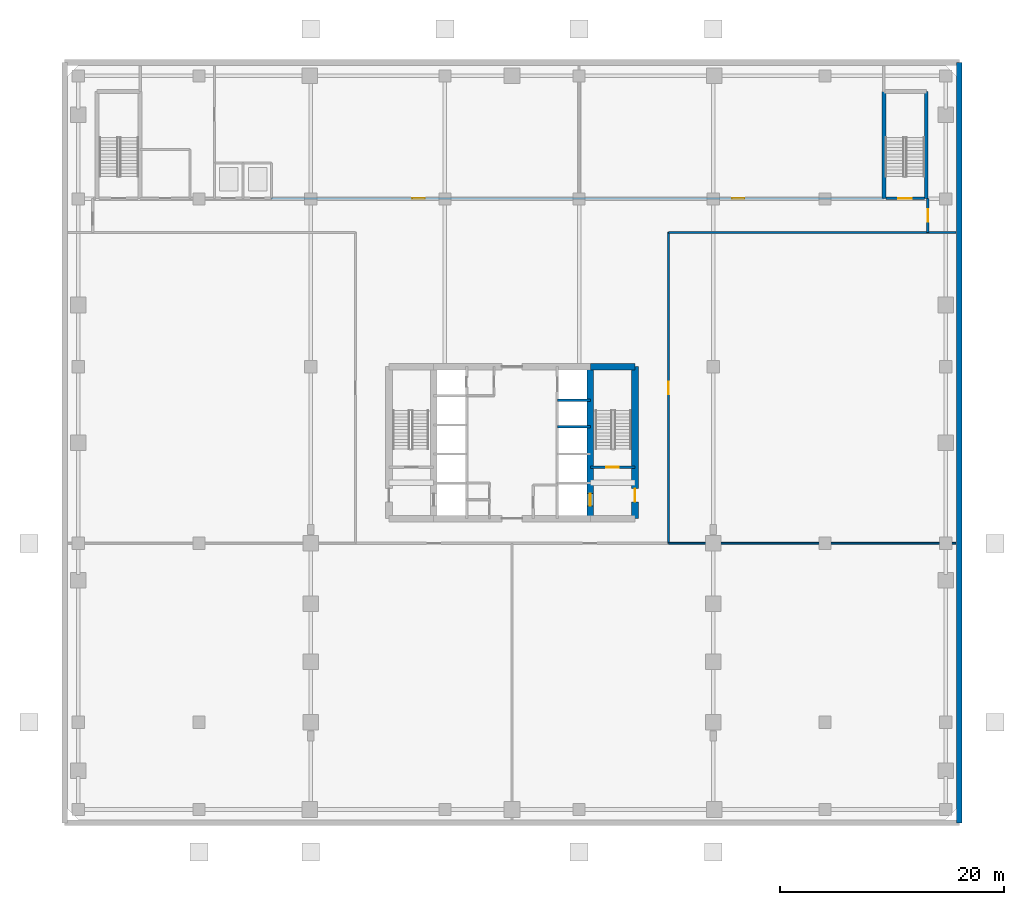
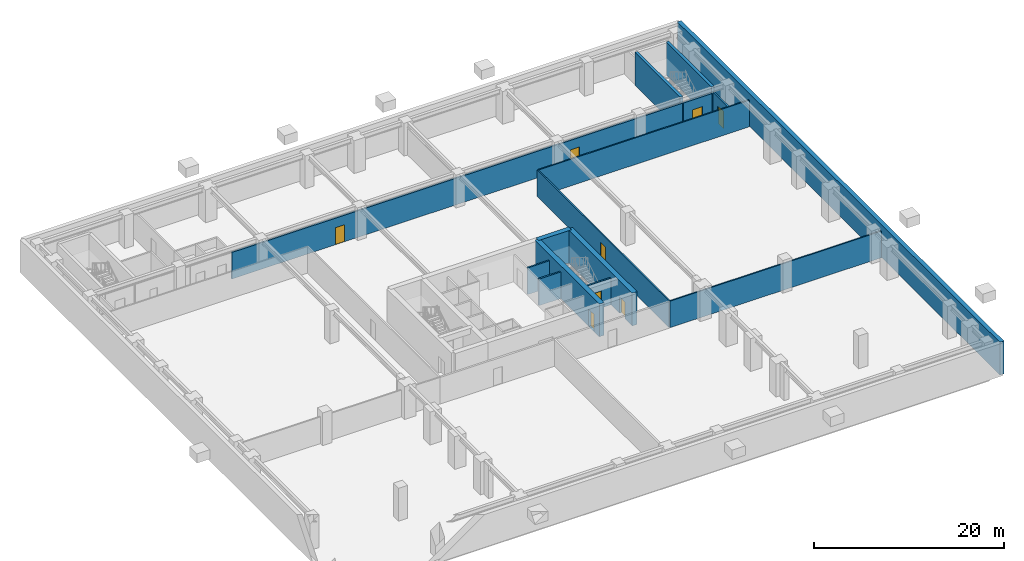
# One storey, part 6 of 11: 15 walls, 8 doors, 8 openings.
"""IFC4 building model written with IfcOpenShell, lengths in metres."""

from ifc_helpers import new_model, si_unit, direction, frame, frame_2d, origin, place, context, subcontext, project, spatial, rectangle, extrude, material, layer, layer_set, type_object, element, fill, save


model = new_model("IFC4")

# Units and contexts
model_context = context("Model", 3, precision=1e-05, world=origin(), true_north=direction((0.0, 1.0)))
body_context = subcontext(model_context, "Body", "Model", "MODEL_VIEW")
ifc_project = project(units=[si_unit("LENGTHUNIT", "METRE"), si_unit("AREAUNIT", "SQUARE_METRE"), si_unit("VOLUMEUNIT", "CUBIC_METRE"), si_unit("PLANEANGLEUNIT", "RADIAN"), si_unit("MASSUNIT", "GRAM", prefix="KILO")], contexts=[model_context])

# Site, building, storey
site_placement = place(None, origin())
site = spatial("IfcSite", under=ifc_project, at=site_placement, CompositionType="ELEMENT")
building_placement = place(site_placement, origin())
building = spatial("IfcBuilding", under=site, at=building_placement, Name="Sarneth Arch Tower", CompositionType="ELEMENT")
storey_placement = place(building_placement, frame((0.0, 0.0, -4.5)))
storey = spatial("IfcBuildingStorey", under=building, at=storey_placement, Name="B01", CompositionType="ELEMENT", Elevation=-4.5)

# Walls
ifc_material_1 = material(Name="Concrete C50/60", Category="concrete")
ifc_layer_1 = layer(ifc_material_1, 0.35009765625)
ifc_layer_set_1 = layer_set([ifc_layer_1], Name="Concrete C50/60")
wall_type_1 = type_object("IfcWallType", Name="WALL-CORE-350", PredefinedType="SHEAR", material=ifc_layer_set_1)
for number, where, z_axis, x_axis, name in (
    (1, (81.25, 63.85009765625, 0.0), (0.0, 0.0, 1.0), (0.0, 1.0, 0.0), "B01 Podium stair core wall STP2-W"),
    (2, (85.050048828125, 63.85009765625, 0.0), (0.0, 0.0, 1.0), (0.0, 1.0, 0.0), "B01 Podium stair core wall STP2-E"),
):
    element("IfcWall", number, at=place(storey_placement, frame(where, z_axis=z_axis, x_axis=x_axis)), inside=storey, type_object=wall_type_1, Name=name, PredefinedType="SHEAR", context=body_context, shape_type="SweptSolid", body=[
        extrude(rectangle(XDim=9.5498046875, YDim=0.35009765625, at=frame_2d((4.77490234375, 0.0))), origin(), (0.0, 0.0, 1.0), 4.219970703125),
    ])
ifc_material_2 = material(Name="Concrete C60/75", Category="concrete")
ifc_layer_2 = layer(ifc_material_2, 0.60009765625)
ifc_layer_set_2 = layer_set([ifc_layer_2], Name="Concrete C60/75")
wall_type_2 = type_object("IfcWallType", Name="WALL-CORE-600", PredefinedType="SHEAR", material=ifc_layer_set_2)
wall_1_placement = place(storey_placement, frame((55.0, 48.800048828125, 0.0), z_axis=(0.0, 0.0, 1.0), x_axis=(1.0, 0.0, 0.0)))
element("IfcWall", 3, at=wall_1_placement, inside=storey, type_object=wall_type_2, Name="B01 Core shear wall N-E", PredefinedType="SHEAR", context=body_context, shape_type="SweptSolid", body=[
    extrude(rectangle(XDim=4.0, YDim=0.60009765625, at=frame_2d((2.0, 0.0))), origin(), (0.0, 0.0, 1.0), 4.219970703125),
])

# Wall, opening, door
wall_2_placement = place(storey_placement, frame((59.0, 35.199951171875, 0.0), z_axis=(0.0, 0.0, 1.0), x_axis=(0.0, 1.0, 0.0)))
wall_2 = element("IfcWall", 4, at=wall_2_placement, inside=storey, type_object=wall_type_2, Name="B01 Core shear wall E", PredefinedType="SHEAR", context=body_context, shape_type="SweptSolid", body=[
    extrude(rectangle(XDim=13.60009765625, YDim=0.60009765625, at=frame_2d((6.800048828125, 0.0))), origin(), (0.0, 0.0, 1.0), 4.219970703125),
])
opening_1_placement = place(wall_2_placement, frame((1.5, 0.0, 0.0)))
opening_1 = element("IfcOpeningElement", 5, at=opening_1_placement, cuts=wall_2, Name="Opening FD-02", PredefinedType="OPENING", context=body_context, shape_type="SweptSolid", body=[
    extrude(rectangle(XDim=1.199951171875, YDim=2.14990234375, at=frame_2d((0.60009765625, 1.074951171875))), frame((0.0, 0.31005859375, 0.0), z_axis=(0.0, -1.0, 0.0), x_axis=(1.0, 0.0, 0.0)), (0.0, 0.0, 1.0), 0.6201171875),
])
ifc_material_3 = material(Name="Galvanised Steel S275 fire door set", Category="steel")
door_type_1 = type_object("IfcDoorType", Name="DR-FD90-1200", OperationType="SINGLE_SWING_LEFT", PredefinedType="DOOR", material=ifc_material_3)
door_1_placement = place(opening_1_placement, origin())
door_1 = element("IfcDoor", 6, at=door_1_placement, inside=storey, type_object=door_type_1, Name="B01 Firefighting lobby 2 exit door", OperationType="SINGLE_SWING_RIGHT", OverallHeight=2.14990234375, OverallWidth=1.199951171875, PredefinedType="DOOR", context=body_context, shape_type="SweptSolid", body=[
    extrude(rectangle(XDim=1.199951171875, YDim=2.14990234375, at=frame_2d((0.60009765625, 1.074951171875))), frame((0.0, 0.02490234375, 0.0), z_axis=(0.0, -1.0, 0.0), x_axis=(1.0, 0.0, 0.0)), (0.0, 0.0, 1.0), 0.050048828125),
])
fill(opening_1, door_1)

wall_3_placement = place(storey_placement, frame((55.0, 35.199951171875, 0.0), z_axis=(0.0, 0.0, 1.0), x_axis=(0.0, 1.0, 0.0)))
wall_3 = element("IfcWall", 7, at=wall_3_placement, inside=storey, type_object=wall_type_2, Name="B01 Core shear wall WEB-E", PredefinedType="SHEAR", context=body_context, shape_type="SweptSolid", body=[
    extrude(rectangle(XDim=13.60009765625, YDim=0.60009765625, at=frame_2d((6.800048828125, 0.0))), origin(), (0.0, 0.0, 1.0), 4.219970703125),
])
opening_2_placement = place(wall_3_placement, frame((1.14990234375, 0.0, 0.0)))
opening_2 = element("IfcOpeningElement", 8, at=opening_2_placement, cuts=wall_3, Name="Opening LD-1", PredefinedType="OPENING", context=body_context, shape_type="SweptSolid", body=[
    extrude(rectangle(XDim=1.10009765625, YDim=2.199951171875, at=frame_2d((0.550048828125, 1.10009765625))), frame((0.0, 0.31005859375, 0.0), z_axis=(0.0, -1.0, 0.0), x_axis=(1.0, 0.0, 0.0)), (0.0, 0.0, 1.0), 0.6201171875),
])
ifc_material_4 = material(Name="Brushed Stainless Steel 304 lift landing door", Category="steel")
door_type_2 = type_object("IfcDoorType", Name="DR-LIFT-SLIDE-1100", OperationType="SLIDING_TO_LEFT", PredefinedType="DOOR", material=ifc_material_4)
door_2_placement = place(opening_2_placement, origin())
door_2 = element("IfcDoor", 9, at=door_2_placement, inside=storey, type_object=door_type_2, Name="B01 Firefighting lift landing door FL-2", OperationType="SLIDING_TO_RIGHT", OverallHeight=2.199951171875, OverallWidth=1.10009765625, PredefinedType="DOOR", context=body_context, shape_type="SweptSolid", body=[
    extrude(rectangle(XDim=1.10009765625, YDim=2.199951171875, at=frame_2d((0.550048828125, 1.10009765625))), frame((0.0, 0.02490234375, 0.0), z_axis=(0.0, -1.0, 0.0), x_axis=(1.0, 0.0, 0.0)), (0.0, 0.0, 1.0), 0.050048828125),
])
fill(opening_2, door_2)

# Wall, openings, doors
ifc_material_5 = material(Name="Double steel-stud corridor fire wall", Category="steel")
ifc_layer_3 = layer(ifc_material_5, 0.18994140625)
ifc_layer_set_3 = layer_set([ifc_layer_3], Name="Double steel-stud corridor fire wall")
wall_type_3 = type_object("IfcWallType", Name="WALL-CORR-190", PredefinedType="PARTITIONING", material=ifc_layer_set_3)
wall_4_placement = place(storey_placement, frame((26.468017578125, 63.85009765625, 0.0), z_axis=(0.0, 0.0, 1.0), x_axis=(1.0, 0.0, 0.0)))
wall_4 = element("IfcWall", 10, at=wall_4_placement, inside=storey, type_object=wall_type_3, Name="B01 Interior partition W-B01-TP-009", PredefinedType="PARTITIONING", context=body_context, shape_type="SweptSolid", body=[
    extrude(rectangle(XDim=54.81396484375, YDim=0.18994140625, at=frame_2d((27.406982421875, 0.0))), origin(), (0.0, 0.0, 1.0), 3.419921875),
])
opening_3_placement = place(wall_4_placement, frame((12.632080078125, 0.0, 0.0)))
opening_3 = element("IfcOpeningElement", 11, at=opening_3_placement, cuts=wall_4, Name="Opening FD-07", PredefinedType="OPENING", context=body_context, shape_type="SweptSolid", body=[
    extrude(rectangle(XDim=1.10009765625, YDim=2.199951171875, at=frame_2d((0.550048828125, 1.10009765625))), frame((0.0, 0.10498046875, 0.0), z_axis=(0.0, -1.0, 0.0), x_axis=(1.0, 0.0, 0.0)), (0.0, 0.0, 1.0), 0.2099609375),
])
opening_4_placement = place(wall_4_placement, frame((41.20703125, 0.0, 0.0)))
opening_4 = element("IfcOpeningElement", 12, at=opening_4_placement, cuts=wall_4, Name="Opening FD-07", PredefinedType="OPENING", context=body_context, shape_type="SweptSolid", body=[
    extrude(rectangle(XDim=1.10009765625, YDim=2.199951171875, at=frame_2d((0.550048828125, 1.10009765625))), frame((0.0, 0.10498046875, 0.0), z_axis=(0.0, -1.0, 0.0), x_axis=(1.0, 0.0, 0.0)), (0.0, 0.0, 1.0), 0.2099609375),
])
ifc_material_6 = material(Name="Hardwood timber acoustic fire door", Category="wood")
door_type_3 = type_object("IfcDoorType", Name="DR-FD60-1100", OperationType="SINGLE_SWING_RIGHT", PredefinedType="DOOR", material=ifc_material_6)
door_3_placement = place(opening_3_placement, origin())
door_3 = element("IfcDoor", 13, at=door_3_placement, inside=storey, type_object=door_type_3, Name="B01 Interior door DR-B01-LOCKER", OperationType="SINGLE_SWING_LEFT", OverallHeight=2.199951171875, OverallWidth=1.10009765625, PredefinedType="DOOR", context=body_context, shape_type="SweptSolid", body=[
    extrude(rectangle(XDim=1.10009765625, YDim=2.199951171875, at=frame_2d((0.550048828125, 1.10009765625))), frame((0.0, 0.02490234375, 0.0), z_axis=(0.0, -1.0, 0.0), x_axis=(1.0, 0.0, 0.0)), (0.0, 0.0, 1.0), 0.050048828125),
])
fill(opening_3, door_3)
door_4_placement = place(opening_4_placement, origin())
door_4 = element("IfcDoor", 14, at=door_4_placement, inside=storey, type_object=door_type_3, Name="B01 Interior door DR-B01-UNIF", OperationType="SINGLE_SWING_RIGHT", OverallHeight=2.199951171875, OverallWidth=1.10009765625, PredefinedType="DOOR", context=body_context, shape_type="SweptSolid", body=[
    extrude(rectangle(XDim=1.10009765625, YDim=2.199951171875, at=frame_2d((0.550048828125, 1.10009765625))), frame((0.0, 0.02490234375, 0.0), z_axis=(0.0, -1.0, 0.0), x_axis=(1.0, 0.0, 0.0)), (0.0, 0.0, 1.0), 0.050048828125),
])
fill(opening_4, door_4)

# Wall, opening, door
ifc_material_7 = material(Name="Aerated concrete blockwork C25/30", Category="masonry")
ifc_layer_4 = layer(ifc_material_7, 0.219970703125)
ifc_layer_set_4 = layer_set([ifc_layer_4], Name="Aerated concrete blockwork C25/30")
wall_type_4 = type_object("IfcWallType", Name="WALL-FIRE-220", PredefinedType="SOLIDWALL", material=ifc_layer_set_4)
wall_5_placement = place(storey_placement, frame((85.199951171875, 63.85009765625, 0.0), z_axis=(0.0, 0.0, 1.0), x_axis=(0.0, -1.0, 0.0)))
wall_5 = element("IfcWall", 15, at=wall_5_placement, inside=storey, type_object=wall_type_4, Name="B01 Interior partition W-B01-TP-013", PredefinedType="SOLIDWALL", context=body_context, shape_type="SweptSolid", body=[
    extrude(rectangle(XDim=3.050048828125, YDim=0.219970703125, at=frame_2d((1.52490234375, 0.0))), origin(), (0.0, 0.0, 1.0), 3.419921875),
])
opening_5_placement = place(wall_5_placement, frame((0.97509765625, 0.0, 0.0)))
opening_5 = element("IfcOpeningElement", 16, at=opening_5_placement, cuts=wall_5, Name="Opening FD-07", PredefinedType="OPENING", context=body_context, shape_type="SweptSolid", body=[
    extrude(rectangle(XDim=1.10009765625, YDim=2.199951171875, at=frame_2d((0.550048828125, 1.10009765625))), frame((0.0, 0.119873046875, 0.0), z_axis=(0.0, -1.0, 0.0), x_axis=(1.0, 0.0, 0.0)), (0.0, 0.0, 1.0), 0.239990234375),
])
door_5_placement = place(opening_5_placement, origin())
door_5 = element("IfcDoor", 17, at=door_5_placement, inside=storey, type_object=door_type_3, Name="B01 Interior door DR-B01-EPLANT", OperationType="SINGLE_SWING_LEFT", OverallHeight=2.199951171875, OverallWidth=1.10009765625, PredefinedType="DOOR", context=body_context, shape_type="SweptSolid", body=[
    extrude(rectangle(XDim=1.10009765625, YDim=2.199951171875, at=frame_2d((0.550048828125, 1.10009765625))), frame((0.0, 0.02490234375, 0.0), z_axis=(0.0, -1.0, 0.0), x_axis=(1.0, 0.0, 0.0)), (0.0, 0.0, 1.0), 0.050048828125),
])
fill(opening_5, door_5)

ifc_material_8 = material(Name="Kitchen wet service chase wall", Category="gypsum")
ifc_layer_5 = layer(ifc_material_8, 0.159912109375)
ifc_layer_set_5 = layer_set([ifc_layer_5], Name="Kitchen wet service chase wall")
wall_type_5 = type_object("IfcWallType", Name="WALL-PLUMB-160", PredefinedType="PLUMBINGWALL", material=ifc_layer_set_5)
wall_6_placement = place(storey_placement, frame((62.0, 60.800048828125, 0.0), z_axis=(0.0, 0.0, 1.0), x_axis=(0.0, -1.0, 0.0)))
wall_6 = element("IfcWall", 18, at=wall_6_placement, inside=storey, type_object=wall_type_5, Name="B01 Interior partition W-B01-TP-004", PredefinedType="PLUMBINGWALL", context=body_context, shape_type="SweptSolid", body=[
    extrude(rectangle(XDim=27.800048828125, YDim=0.159912109375, at=frame_2d((13.89990234375, 0.0))), origin(), (0.0, 0.0, 1.0), 3.419921875),
])
opening_6_placement = place(wall_6_placement, frame((13.35009765625, 0.0, 0.0)))
opening_6 = element("IfcOpeningElement", 19, at=opening_6_placement, cuts=wall_6, Name="Opening FD-07", PredefinedType="OPENING", context=body_context, shape_type="SweptSolid", body=[
    extrude(rectangle(XDim=1.10009765625, YDim=2.199951171875, at=frame_2d((0.550048828125, 1.10009765625))), frame((0.0, 0.08984375, 0.0), z_axis=(0.0, -1.0, 0.0), x_axis=(1.0, 0.0, 0.0)), (0.0, 0.0, 1.0), 0.179931640625),
])
door_6_placement = place(opening_6_placement, origin())
door_6 = element("IfcDoor", 20, at=door_6_placement, inside=storey, type_object=door_type_3, Name="B01 Interior door DR-B01-KITCH", OperationType="SINGLE_SWING_LEFT", OverallHeight=2.199951171875, OverallWidth=1.10009765625, PredefinedType="DOOR", context=body_context, shape_type="SweptSolid", body=[
    extrude(rectangle(XDim=1.10009765625, YDim=2.199951171875, at=frame_2d((0.550048828125, 1.10009765625))), frame((0.0, 0.02490234375, 0.0), z_axis=(0.0, -1.0, 0.0), x_axis=(1.0, 0.0, 0.0)), (0.0, 0.0, 1.0), 0.050048828125),
])
fill(opening_6, door_6)

# Walls
for number, where, z_axis, x_axis, name in (
    (21, (87.699951171875, 33.0, 0.0), (0.0, 0.0, 1.0), (-1.0, 0.0, 0.0), "B01 Interior partition W-B01-TP-016"),
    (22, (87.699951171875, 60.800048828125, 0.0), (0.0, 0.0, 1.0), (-1.0, 0.0, 0.0), "B01 Interior partition W-B01-TP-003"),
):
    element("IfcWall", number, at=place(storey_placement, frame(where, z_axis=z_axis, x_axis=x_axis)), inside=storey, type_object=wall_type_5, Name=name, PredefinedType="PLUMBINGWALL", context=body_context, shape_type="SweptSolid", body=[
        extrude(rectangle(XDim=25.699951171875, YDim=0.159912109375, at=frame_2d((12.85009765625, 0.0))), origin(), (0.0, 0.0, 1.0), 3.419921875),
    ])
ifc_material_9 = material(Name="Concrete C50/60", Category="concrete")
ifc_layer_6 = layer(ifc_material_9, 0.5)
ifc_layer_set_6 = layer_set([ifc_layer_6], Name="Concrete C50/60")
wall_type_6 = type_object("IfcWallType", Name="WALL-RET-500", PredefinedType="SOLIDWALL", material=ifc_layer_set_6)
wall_7_placement = place(storey_placement, frame((88.0, 8.0, 0.0), z_axis=(0.0, 0.0, 1.0), x_axis=(0.0, 1.0, 0.0)))
element("IfcWall", 23, at=wall_7_placement, inside=storey, type_object=wall_type_6, Name="B01 Basement retaining wall E", PredefinedType="SOLIDWALL", context=body_context, shape_type="SweptSolid", body=[
    extrude(rectangle(XDim=68.0, YDim=0.5, at=frame_2d((34.0, 0.0))), origin(), (0.0, 0.0, 1.0), 4.219970703125),
])

# Wall, opening, door
ifc_material_10 = material(Name="Aerated concrete blockwork C25/30", Category="masonry")
ifc_layer_7 = layer(ifc_material_10, 0.199951171875)
ifc_layer_set_7 = layer_set([ifc_layer_7], Name="Aerated concrete blockwork C25/30")
wall_type_7 = type_object("IfcWallType", Name="WALL-SHAFT-200", PredefinedType="SOLIDWALL", material=ifc_layer_set_7)
wall_8_placement = place(storey_placement, frame((55.0, 39.800048828125, 0.0), z_axis=(0.0, 0.0, 1.0), x_axis=(1.0, 0.0, 0.0)))
wall_8 = element("IfcWall", 24, at=wall_8_placement, inside=storey, type_object=wall_type_7, Name="B01 Interior partition W-B01-ST2-S", PredefinedType="SOLIDWALL", context=body_context, shape_type="SweptSolid", body=[
    extrude(rectangle(XDim=4.0, YDim=0.199951171875, at=frame_2d((2.0, 0.0))), origin(), (0.0, 0.0, 1.0), 3.419921875),
])
opening_7_placement = place(wall_8_placement, frame((1.449951171875, 0.0, 0.0)))
opening_7 = element("IfcOpeningElement", 25, at=opening_7_placement, cuts=wall_8, Name="Opening FD-03", PredefinedType="OPENING", context=body_context, shape_type="SweptSolid", body=[
    extrude(rectangle(XDim=1.10009765625, YDim=2.14990234375, at=frame_2d((0.550048828125, 1.074951171875))), frame((0.0, 0.10986328125, 0.0), z_axis=(0.0, -1.0, 0.0), x_axis=(1.0, 0.0, 0.0)), (0.0, 0.0, 1.0), 0.219970703125),
])
ifc_material_11 = material(Name="Galvanised Steel S275 fire door set", Category="steel")
door_type_4 = type_object("IfcDoorType", Name="DR-FD90-1100", OperationType="SINGLE_SWING_LEFT", PredefinedType="DOOR", material=ifc_material_11)
door_7_placement = place(opening_7_placement, origin())
door_7 = element("IfcDoor", 26, at=door_7_placement, inside=storey, type_object=door_type_4, Name="B01 Interior door DR-B01-ST2", OperationType="SINGLE_SWING_RIGHT", OverallHeight=2.14990234375, OverallWidth=1.10009765625, PredefinedType="DOOR", context=body_context, shape_type="SweptSolid", body=[
    extrude(rectangle(XDim=1.10009765625, YDim=2.14990234375, at=frame_2d((0.550048828125, 1.074951171875))), frame((0.0, 0.02490234375, 0.0), z_axis=(0.0, -1.0, 0.0), x_axis=(1.0, 0.0, 0.0)), (0.0, 0.0, 1.0), 0.050048828125),
])
fill(opening_7, door_7)

# Walls
for number, where, z_axis, x_axis, name in (
    (27, (52.050048828125, 43.419921875, 0.0), (0.0, 0.0, 1.0), (1.0, 0.0, 0.0), "B01 Interior partition W-B01-EB-DIV-4342"),
    (28, (52.050048828125, 45.800048828125, 0.0), (0.0, 0.0, 1.0), (1.0, 0.0, 0.0), "B01 Interior partition W-B01-EB-DIV-4580"),
):
    element("IfcWall", number, at=place(storey_placement, frame(where, z_axis=z_axis, x_axis=x_axis)), inside=storey, type_object=wall_type_7, Name=name, PredefinedType="SOLIDWALL", context=body_context, shape_type="SweptSolid", body=[
        extrude(rectangle(XDim=2.949951171875, YDim=0.199951171875, at=frame_2d((1.47509765625, 0.0))), origin(), (0.0, 0.0, 1.0), 3.419921875),
    ])

# Wall, opening, door
wall_9_placement = place(storey_placement, frame((81.429931640625, 63.85009765625, 0.0), z_axis=(0.0, 0.0, 1.0), x_axis=(1.0, 0.0, 0.0)))
wall_9 = element("IfcWall", 29, at=wall_9_placement, inside=storey, type_object=wall_type_7, Name="B01 Interior partition W-B01-STP2-S", PredefinedType="SOLIDWALL", context=body_context, shape_type="SweptSolid", body=[
    extrude(rectangle(XDim=3.440185546875, YDim=0.199951171875, at=frame_2d((1.72021484375, 0.0))), origin(), (0.0, 0.0, 1.0), 3.419921875),
])
opening_8_placement = place(wall_9_placement, frame((1.1201171875, 0.0, 0.0)))
opening_8 = element("IfcOpeningElement", 30, at=opening_8_placement, cuts=wall_9, Name="Opening FD-02", PredefinedType="OPENING", context=body_context, shape_type="SweptSolid", body=[
    extrude(rectangle(XDim=1.199951171875, YDim=2.14990234375, at=frame_2d((0.60009765625, 1.074951171875))), frame((0.0, 0.10986328125, 0.0), z_axis=(0.0, -1.0, 0.0), x_axis=(1.0, 0.0, 0.0)), (0.0, 0.0, 1.0), 0.219970703125),
])
door_8_placement = place(opening_8_placement, origin())
door_8 = element("IfcDoor", 31, at=door_8_placement, inside=storey, type_object=door_type_1, Name="B01 Interior door DR-B01-STP2", OperationType="SINGLE_SWING_RIGHT", OverallHeight=2.14990234375, OverallWidth=1.199951171875, PredefinedType="DOOR", context=body_context, shape_type="SweptSolid", body=[
    extrude(rectangle(XDim=1.199951171875, YDim=2.14990234375, at=frame_2d((0.60009765625, 1.074951171875))), frame((0.0, 0.02490234375, 0.0), z_axis=(0.0, -1.0, 0.0), x_axis=(1.0, 0.0, 0.0)), (0.0, 0.0, 1.0), 0.050048828125),
])
fill(opening_8, door_8)

save(model, "model.ifc")
